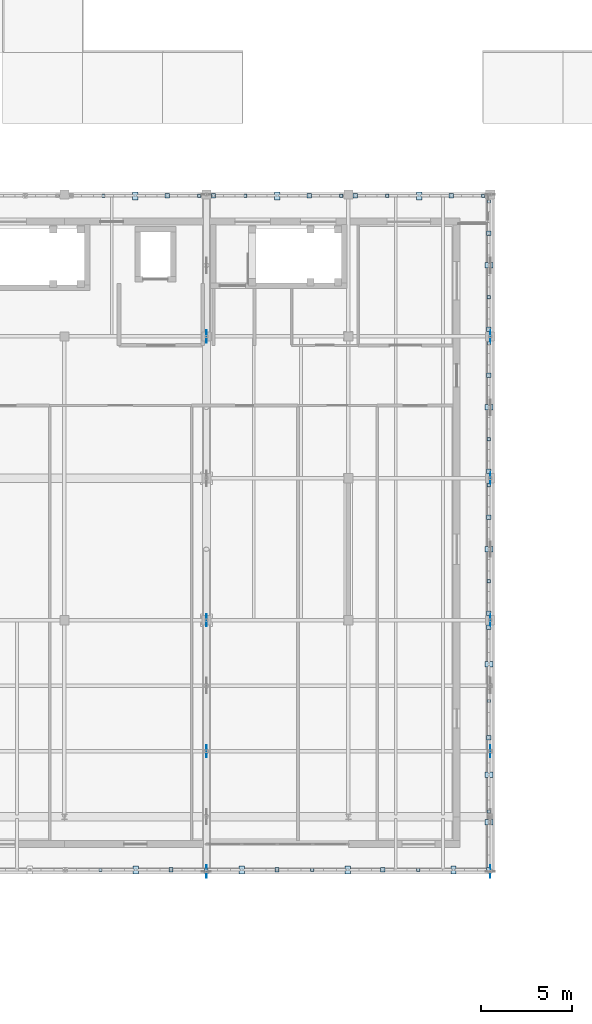
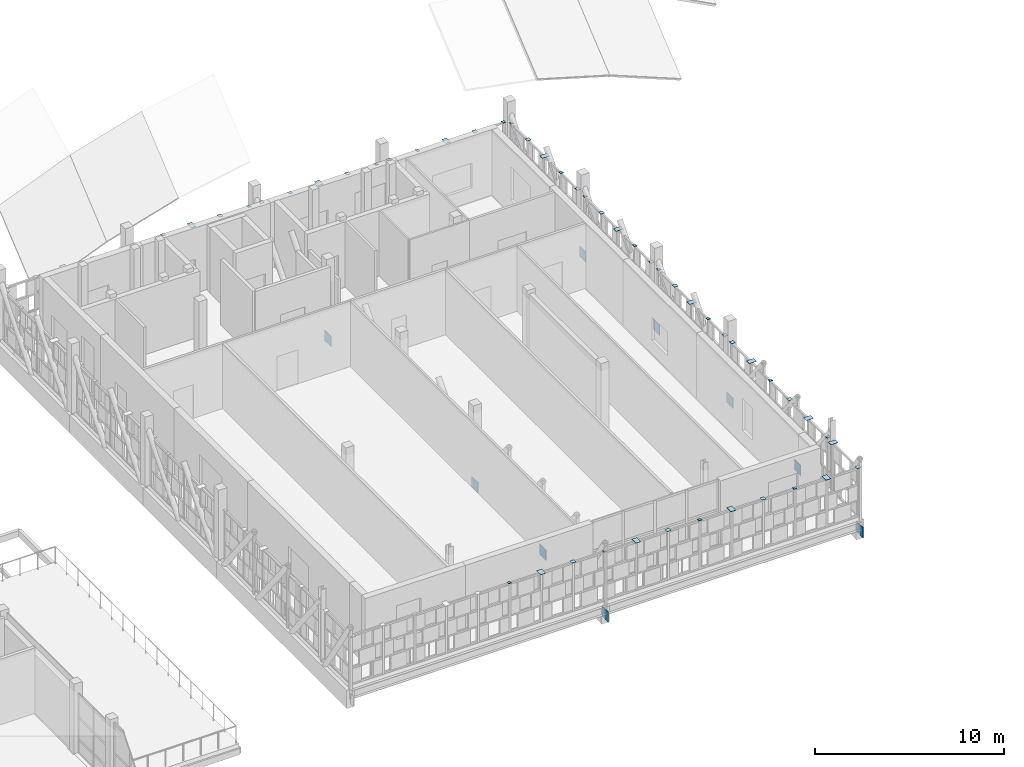
# One storey, part 61 of 89: 57 plates.
"""IFC4 building model written with IfcOpenShell, lengths in metres."""

from ifc_helpers import new_model, si_unit, direction, frame, origin, origin_2d, place, context, subcontext, project, spatial, rectangle, extrude, material, layer, layer_set, type_object, element, save


model = new_model("IFC4")

# Units and contexts
model_context = context("Model", 3, precision=1e-05, world=origin(), true_north=direction((0.0, 1.0)))
body_context = subcontext(model_context, "Body", "Model", "MODEL_VIEW")
ifc_project = project(units=[si_unit("LENGTHUNIT", "METRE"), si_unit("AREAUNIT", "SQUARE_METRE"), si_unit("VOLUMEUNIT", "CUBIC_METRE"), si_unit("PLANEANGLEUNIT", "RADIAN"), si_unit("MASSUNIT", "GRAM", prefix="KILO")], contexts=[model_context])

# Site, building, storey
site_placement = place(None, origin())
site = spatial("IfcSite", under=ifc_project, at=site_placement, CompositionType="ELEMENT")
building_placement = place(site_placement, origin())
building = spatial("IfcBuilding", under=site, at=building_placement, Name="Celorna Specialist Clinic", CompositionType="ELEMENT")
storey_placement = place(building_placement, frame((0.0, 0.0, 14.10009765625)))
storey = spatial("IfcBuildingStorey", under=building, at=storey_placement, Name="L03", CompositionType="ELEMENT", Elevation=14.10009765625)

# Plates
ifc_material = material(Name="Steel S355", Category="steel")
ifc_layer_1 = layer(ifc_material, 0.011962890625, Name="Steel S355")
ifc_layer_set_1 = layer_set([ifc_layer_1], Name="Steel S355")
plate_type_1 = type_object("IfcPlateType", Name="EP-06", PredefinedType="SHEET", material=ifc_layer_set_1)
for number, where, z_axis, x_axis, name in (
    (1, (64.3798828125, 5.780029296875, 3.1796875), (0.0, 0.0, 1.0), (1.0, 0.0, 0.0), "Screen post cap plate EP-06 #87"),
    (2, (70.199951171875, 5.780029296875, 3.1796875), (0.0, 0.0, 1.0), (1.0, 0.0, 0.0), "Screen post cap plate EP-06 #90"),
    (3, (76.02001953125, 5.780029296875, 3.1796875), (0.0, 0.0, 1.0), (1.0, 0.0, 0.0), "Screen post cap plate EP-06 #93"),
    (4, (81.840087890625, 5.780029296875, 3.1796875), (0.0, 0.0, 1.0), (1.0, 0.0, 0.0), "Screen post cap plate EP-06 #96"),
    (5, (85.719970703125, 8.989990234375, 3.1796875), (0.0, 0.0, 1.0), (0.0, 1.0, 0.0), "Screen post cap plate EP-06 #450"),
    (6, (85.719970703125, 15.06201171875, 3.1796875), (0.0, 0.0, 1.0), (0.0, 1.0, 0.0), "Screen post cap plate EP-06 #453"),
    (7, (85.719970703125, 21.64501953125, 3.1796875), (0.0, 0.0, 1.0), (0.0, 1.0, 0.0), "Screen post cap plate EP-06 #477"),
    (8, (85.719970703125, 26.909912109375, 3.1796875), (0.0, 0.0, 1.0), (0.0, 1.0, 0.0), "Screen post cap plate EP-06 #480"),
    (9, (85.719970703125, 29.445068359375, 3.1796875), (0.0, 0.0, 1.0), (0.0, 1.0, 0.0), "Screen post cap plate EP-06 #498"),
    (10, (85.719970703125, 34.7099609375, 3.1796875), (0.0, 0.0, 1.0), (0.0, 1.0, 0.0), "Screen post cap plate EP-06 #501"),
    (11, (85.719970703125, 37.2451171875, 3.1796875), (0.0, 0.0, 1.0), (0.0, 1.0, 0.0), "Screen post cap plate EP-06 #519"),
    (12, (85.719970703125, 42.510009765625, 3.1796875), (0.0, 0.0, 1.0), (0.0, 1.0, 0.0), "Screen post cap plate EP-06 #522"),
    (13, (64.544921875, 42.820068359375, 3.1796875), (0.0, 0.0, 1.0), (1.0, 0.0, 0.0), "Screen post cap plate EP-06 #645"),
    (14, (69.81005859375, 42.820068359375, 3.1796875), (0.0, 0.0, 1.0), (1.0, 0.0, 0.0), "Screen post cap plate EP-06 #648"),
    (15, (72.344970703125, 42.820068359375, 3.1796875), (0.0, 0.0, 1.0), (1.0, 0.0, 0.0), "Screen post cap plate EP-06 #666"),
    (16, (77.610107421875, 42.820068359375, 3.1796875), (0.0, 0.0, 1.0), (1.0, 0.0, 0.0), "Screen post cap plate EP-06 #669"),
    (17, (80.14501953125, 42.820068359375, 3.1796875), (0.0, 0.0, 1.0), (1.0, 0.0, 0.0), "Screen post cap plate EP-06 #687"),
    (18, (85.409912109375, 42.820068359375, 3.1796875), (0.0, 0.0, 1.0), (1.0, 0.0, 0.0), "Screen post cap plate EP-06 #690"),
):
    element("IfcPlate", number, at=place(storey_placement, frame(where, z_axis=z_axis, x_axis=x_axis)), inside=storey, type_object=plate_type_1, Name=name, PredefinedType="SHEET", context=body_context, shape_type="SweptSolid", body=[
        extrude(rectangle(XDim=0.179931640625, YDim=0.179931640625, at=origin_2d()), origin(), (0.0, 0.0, 1.0), 0.011962890625),
    ])
ifc_layer_2 = layer(ifc_material, 0.01611328125, Name="Steel S355")
ifc_layer_set_2 = layer_set([ifc_layer_2], Name="Steel S355")
plate_type_2 = type_object("IfcPlateType", Name="EP-07", PredefinedType="SHEET", material=ifc_layer_set_2)
for number, where, z_axis, x_axis, name in (
    (19, (66.320068359375, 5.780029296875, 3.179931640625), (0.0, 0.0, 1.0), (1.0, 0.0, 0.0), "Screen post cap plate EP-07 #88"),
    (20, (72.139892578125, 5.780029296875, 3.179931640625), (0.0, 0.0, 1.0), (1.0, 0.0, 0.0), "Screen post cap plate EP-07 #91"),
    (21, (77.9599609375, 5.780029296875, 3.179931640625), (0.0, 0.0, 1.0), (1.0, 0.0, 0.0), "Screen post cap plate EP-07 #94"),
    (22, (83.780029296875, 5.780029296875, 3.179931640625), (0.0, 0.0, 1.0), (1.0, 0.0, 0.0), "Screen post cap plate EP-07 #97"),
    (23, (85.719970703125, 8.409912109375, 3.179931640625), (0.0, 0.0, 1.0), (0.0, 1.0, 0.0), "Screen post cap plate EP-07 #445"),
    (24, (85.719970703125, 11.013916015625, 3.179931640625), (0.0, 0.0, 1.0), (0.0, 1.0, 0.0), "Screen post cap plate EP-07 #451"),
    (25, (85.719970703125, 17.0859375, 3.179931640625), (0.0, 0.0, 1.0), (0.0, 1.0, 0.0), "Screen post cap plate EP-07 #454"),
    (26, (85.719970703125, 23.39990234375, 3.179931640625), (0.0, 0.0, 1.0), (0.0, 1.0, 0.0), "Screen post cap plate EP-07 #478"),
    (27, (85.719970703125, 31.199951171875, 3.179931640625), (0.0, 0.0, 1.0), (0.0, 1.0, 0.0), "Screen post cap plate EP-07 #499"),
    (28, (85.719970703125, 39.0, 3.179931640625), (0.0, 0.0, 1.0), (0.0, 1.0, 0.0), "Screen post cap plate EP-07 #520"),
    (29, (66.300048828125, 42.820068359375, 3.179931640625), (0.0, 0.0, 1.0), (1.0, 0.0, 0.0), "Screen post cap plate EP-07 #646"),
    (30, (74.10009765625, 42.820068359375, 3.179931640625), (0.0, 0.0, 1.0), (1.0, 0.0, 0.0), "Screen post cap plate EP-07 #667"),
    (31, (81.89990234375, 42.820068359375, 3.179931640625), (0.0, 0.0, 1.0), (1.0, 0.0, 0.0), "Screen post cap plate EP-07 #688"),
):
    element("IfcPlate", number, at=place(storey_placement, frame(where, z_axis=z_axis, x_axis=x_axis)), inside=storey, type_object=plate_type_2, Name=name, PredefinedType="SHEET", context=body_context, shape_type="SweptSolid", body=[
        extrude(rectangle(XDim=0.300048828125, YDim=0.43994140625, at=origin_2d()), origin(), (0.0, 0.0, 1.0), 0.01611328125),
    ])
ifc_layer_3 = layer(ifc_material, 0.013916015625, Name="Steel S355")
ifc_layer_set_3 = layer_set([ifc_layer_3], Name="Steel S355")
plate_type_3 = type_object("IfcPlateType", Name="EP-08", PredefinedType="SHEET", material=ifc_layer_set_3)
for number, where, z_axis, x_axis, name in (
    (32, (68.260009765625, 5.780029296875, 3.18017578125), (0.0, 0.0, 1.0), (1.0, 0.0, 0.0), "Screen post cap plate EP-08 #89"),
    (33, (74.080078125, 5.780029296875, 3.18017578125), (0.0, 0.0, 1.0), (1.0, 0.0, 0.0), "Screen post cap plate EP-08 #92"),
    (34, (79.89990234375, 5.780029296875, 3.18017578125), (0.0, 0.0, 1.0), (1.0, 0.0, 0.0), "Screen post cap plate EP-08 #95"),
    (35, (85.719970703125, 5.780029296875, 3.18017578125), (0.0, 0.0, 1.0), (1.0, 0.0, 0.0), "Screen post cap plate EP-08 #98"),
    (36, (85.719970703125, 13.0380859375, 3.18017578125), (0.0, 0.0, 1.0), (0.0, 1.0, 0.0), "Screen post cap plate EP-08 #452"),
    (37, (85.719970703125, 19.110107421875, 3.18017578125), (0.0, 0.0, 1.0), (0.0, 1.0, 0.0), "Screen post cap plate EP-08 #455"),
    (38, (85.719970703125, 19.889892578125, 3.18017578125), (0.0, 0.0, 1.0), (0.0, 1.0, 0.0), "Screen post cap plate EP-08 #476"),
    (39, (85.719970703125, 25.155029296875, 3.18017578125), (0.0, 0.0, 1.0), (0.0, 1.0, 0.0), "Screen post cap plate EP-08 #479"),
    (40, (85.719970703125, 27.68994140625, 3.18017578125), (0.0, 0.0, 1.0), (0.0, 1.0, 0.0), "Screen post cap plate EP-08 #497"),
    (41, (85.719970703125, 32.955078125, 3.18017578125), (0.0, 0.0, 1.0), (0.0, 1.0, 0.0), "Screen post cap plate EP-08 #500"),
    (42, (85.719970703125, 35.489990234375, 3.18017578125), (0.0, 0.0, 1.0), (0.0, 1.0, 0.0), "Screen post cap plate EP-08 #518"),
    (43, (85.719970703125, 40.7548828125, 3.18017578125), (0.0, 0.0, 1.0), (0.0, 1.0, 0.0), "Screen post cap plate EP-08 #521"),
    (44, (68.054931640625, 42.820068359375, 3.18017578125), (0.0, 0.0, 1.0), (1.0, 0.0, 0.0), "Screen post cap plate EP-08 #647"),
    (45, (70.590087890625, 42.820068359375, 3.18017578125), (0.0, 0.0, 1.0), (1.0, 0.0, 0.0), "Screen post cap plate EP-08 #665"),
    (46, (75.85498046875, 42.820068359375, 3.18017578125), (0.0, 0.0, 1.0), (1.0, 0.0, 0.0), "Screen post cap plate EP-08 #668"),
    (47, (78.389892578125, 42.820068359375, 3.18017578125), (0.0, 0.0, 1.0), (1.0, 0.0, 0.0), "Screen post cap plate EP-08 #686"),
    (48, (83.655029296875, 42.820068359375, 3.18017578125), (0.0, 0.0, 1.0), (1.0, 0.0, 0.0), "Screen post cap plate EP-08 #689"),
):
    element("IfcPlate", number, at=place(storey_placement, frame(where, z_axis=z_axis, x_axis=x_axis)), inside=storey, type_object=plate_type_3, Name=name, PredefinedType="SHEET", context=body_context, shape_type="SweptSolid", body=[
        extrude(rectangle(XDim=0.239990234375, YDim=0.239990234375, at=origin_2d()), origin(), (0.0, 0.0, 1.0), 0.013916015625),
    ])
ifc_layer_4 = layer(ifc_material, 0.02392578125, Name="Steel S355")
ifc_layer_set_4 = layer_set([ifc_layer_4], Name="Steel S355")
plate_type_4 = type_object("IfcPlateType", Name="GP-07", PredefinedType="USERDEFINED", material=ifc_layer_set_4)
for number, where, z_axis, x_axis, name in (
    (49, (70.199951171875, 5.699951171875, -1.17529296875), (0.0, 0.0, 1.0), (0.0, 1.0, 0.0), "Truss node gusset plate TN-041"),
    (50, (70.199951171875, 12.300048828125, -1.17529296875), (0.0, 0.0, 1.0), (0.0, 1.0, 0.0), "Truss node gusset plate TN-043"),
    (51, (70.199951171875, 19.5, -1.17529296875), (0.0, 0.0, 1.0), (0.0, 1.0, 0.0), "Truss node gusset plate TN-045"),
    (52, (70.199951171875, 35.10009765625, -1.17529296875), (0.0, 0.0, 1.0), (0.0, 1.0, 0.0), "Truss node gusset plate TN-047"),
    (53, (85.800048828125, 5.699951171875, -1.17529296875), (0.0, 0.0, 1.0), (0.0, 1.0, 0.0), "Truss node gusset plate TN-065"),
    (54, (85.800048828125, 12.300048828125, -1.17529296875), (0.0, 0.0, 1.0), (0.0, 1.0, 0.0), "Truss node gusset plate TN-067"),
    (55, (85.800048828125, 19.5, -1.17529296875), (0.0, 0.0, 1.0), (0.0, 1.0, 0.0), "Truss node gusset plate TN-069"),
    (56, (85.800048828125, 27.300048828125, -1.17529296875), (0.0, 0.0, 1.0), (0.0, 1.0, 0.0), "Truss node gusset plate TN-071"),
    (57, (85.800048828125, 35.10009765625, -1.17529296875), (0.0, 0.0, 1.0), (0.0, 1.0, 0.0), "Truss node gusset plate TN-073"),
):
    element("IfcPlate", number, at=place(storey_placement, frame(where, z_axis=z_axis, x_axis=x_axis)), inside=storey, type_object=plate_type_4, Name=name, ObjectType="GUSSET PLATE", PredefinedType="USERDEFINED", context=body_context, shape_type="SweptSolid", body=[
        extrude(rectangle(XDim=0.679931640625, YDim=0.02392578125, at=origin_2d()), origin(), (0.0, 0.0, 1.0), 0.679931640625),
    ])

save(model, "model.ifc")
